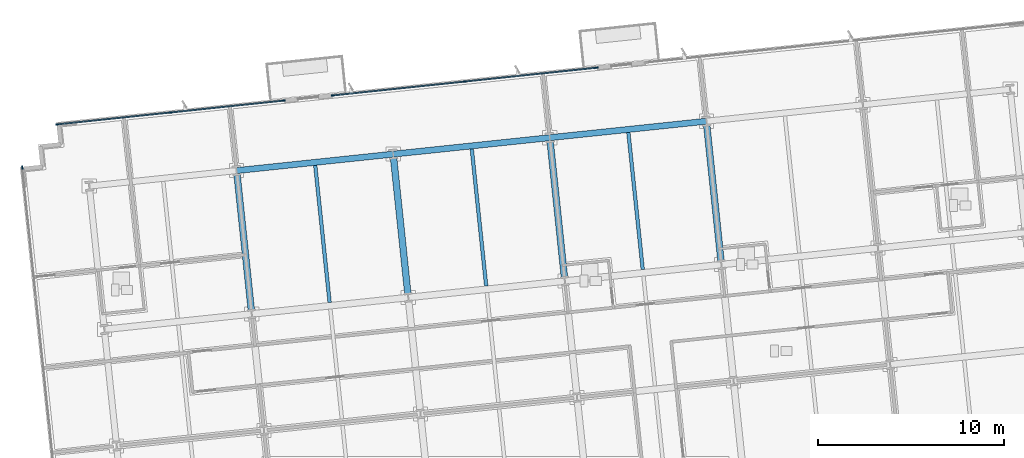
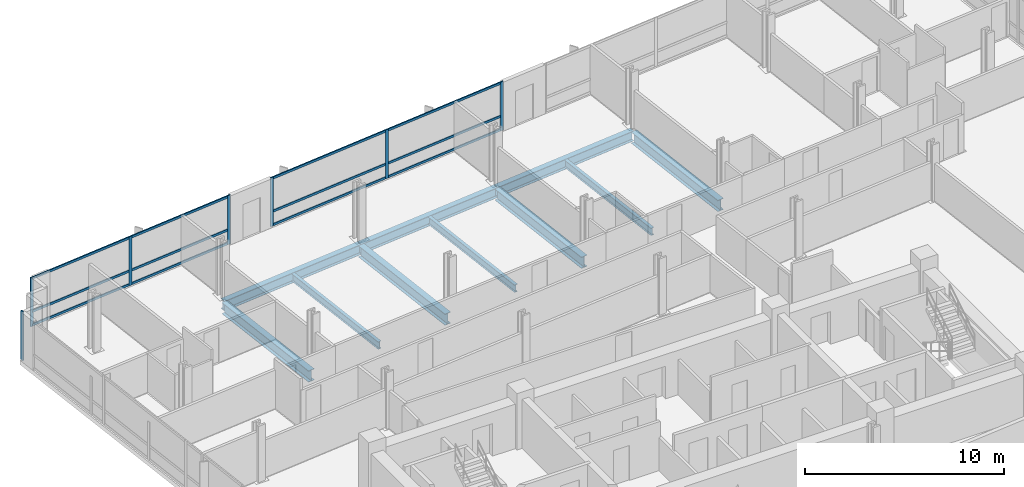
# One storey, part 7 of 18: 19 members, 10 beams, 3 elements without a shape of their own.
"""IFC4 building model written with IfcOpenShell, lengths in metres."""

from ifc_helpers import new_model, si_unit, direction, frame, origin, origin_2d, place, context, subcontext, project, spatial, rectangle, i_section, extrude, material, material_profile, profile_set, type_object, element, aggregate, save


model = new_model("IFC4")

# Units and contexts
model_context = context("Model", 3, precision=1e-05, world=origin(), true_north=direction((0.0, 1.0)))
body_context = subcontext(model_context, "Body", "Model", "MODEL_VIEW")
ifc_project = project(units=[si_unit("LENGTHUNIT", "METRE"), si_unit("AREAUNIT", "SQUARE_METRE"), si_unit("VOLUMEUNIT", "CUBIC_METRE"), si_unit("PLANEANGLEUNIT", "RADIAN"), si_unit("MASSUNIT", "GRAM", prefix="KILO")], contexts=[model_context])

# Site, building, storey
site_placement = place(None, origin())
site = spatial("IfcSite", under=ifc_project, at=site_placement, CompositionType="ELEMENT")
building_placement = place(site_placement, origin())
building = spatial("IfcBuilding", under=site, at=building_placement, Name="Solmavex Isthmus Hotel", CompositionType="ELEMENT")
storey_placement = place(building_placement, frame((0.0, 0.0, 127.050048828125)))
storey = spatial("IfcBuildingStorey", under=building, at=storey_placement, Name="L34", CompositionType="ELEMENT", Elevation=127.050048828125)

# Beams
ifc_material_1 = material(Name="Steel ASTM A992 Grade 50", Category="steel")
ifc_material_profile_1 = material_profile(ifc_material_1, i_section(OverallWidth=0.354736328125, OverallDepth=0.695556640625, WebThickness=0.015380859375, FlangeThickness=0.02490234375, FilletRadius=0.017822265625, at=origin_2d()), Name="W27X146")
ifc_profile_set_1 = profile_set([ifc_material_profile_1], Name="Steel ASTM A992 Grade 50")
beam_type_1 = type_object("IfcBeamType", Name="BM-BG-W27X146", PredefinedType="BEAM", material=ifc_profile_set_1)
for number, where, z_axis, x_axis, name in (
    (1, (-13.135498046875, 8.55859375, -0.60791015625), (-0.1045578893, 0.994518802128, 0.0), (-0.994518802128, -0.1045578893, 0.0), "Floor Beam L34-VG31"),
    (2, (-4.716064453125, 9.443603515625, -0.60791015625), (-0.104525307271, 0.994522227072, 0.0), (-0.994522227072, -0.104525307271, 0.0), "Floor Beam L34-VG35"),
):
    element("IfcBeam", number, at=place(storey_placement, frame(where, z_axis=z_axis, x_axis=x_axis)), inside=storey, type_object=beam_type_1, Name=name, PredefinedType="BEAM", context=body_context, shape_type="SweptSolid", body=[
        extrude(i_section(OverallWidth=0.354736328125, OverallDepth=0.695556640625, WebThickness=0.015380859375, FlangeThickness=0.02490234375, FilletRadius=0.017822265625, at=origin_2d()), origin(), (0.0, 0.0, 1.0), 7.4111328125),
    ])
beam_1_placement = place(storey_placement, frame((3.70361328125, 10.328369140625, -0.60791015625), z_axis=(-0.10452188296, 0.994522586964, 0.0), x_axis=(-0.994522586964, -0.10452188296, 0.0)))
element("IfcBeam", 3, at=beam_1_placement, inside=storey, type_object=beam_type_1, Name="Floor Beam L34-VG39", PredefinedType="BEAM", context=body_context, shape_type="SweptSolid", body=[
    extrude(i_section(OverallWidth=0.354736328125, OverallDepth=0.695556640625, WebThickness=0.015380859375, FlangeThickness=0.02490234375, FilletRadius=0.017822265625, at=origin_2d()), origin(), (0.0, 0.0, 1.0), 7.411376953125),
])
beam_2_placement = place(storey_placement, frame((12.123291015625, 11.21337890625, -0.60791015625), z_axis=(-0.104525307271, 0.994522227072, 0.0), x_axis=(-0.994522227072, -0.104525307271, 0.0)))
element("IfcBeam", 4, at=beam_2_placement, inside=storey, type_object=beam_type_1, Name="Floor Beam L34-VG42", PredefinedType="BEAM", context=body_context, shape_type="SweptSolid", body=[
    extrude(i_section(OverallWidth=0.354736328125, OverallDepth=0.695556640625, WebThickness=0.015380859375, FlangeThickness=0.02490234375, FilletRadius=0.017822265625, at=origin_2d()), origin(), (0.0, 0.0, 1.0), 7.4111328125),
])
ifc_material_profile_2 = material_profile(ifc_material_1, i_section(OverallWidth=0.1904296875, OverallDepth=0.456787109375, WebThickness=0.009033203125, FlangeThickness=0.014404296875, FilletRadius=0.0126953125, at=origin_2d()), Name="W18X50")
ifc_profile_set_2 = profile_set([ifc_material_profile_2], Name="Steel ASTM A992 Grade 50")
beam_type_2 = type_object("IfcBeamType", Name="BM-BJ-W18X50", PredefinedType="JOIST", material=ifc_profile_set_2)
beam_3_placement = place(storey_placement, frame((-8.92578125, 9.0009765625, -0.488525390625), z_axis=(-0.10452188296, 0.994522586964, 0.0), x_axis=(-0.994522586964, -0.10452188296, 0.0)))
element("IfcBeam", 5, at=beam_3_placement, inside=storey, type_object=beam_type_2, Name="Secondary Floor Joist L34-J08", PredefinedType="JOIST", context=body_context, shape_type="SweptSolid", body=[
    extrude(i_section(OverallWidth=0.1904296875, OverallDepth=0.456787109375, WebThickness=0.009033203125, FlangeThickness=0.014404296875, FilletRadius=0.0126953125, at=origin_2d()), origin(), (0.0, 0.0, 1.0), 7.411376953125),
])
for number, where, z_axis, x_axis, name in (
    (6, (-0.506103515625, 9.885986328125, -0.488525390625), (-0.104525307271, 0.994522227072, 0.0), (-0.994522227072, -0.104525307271, 0.0), "Secondary Floor Joist L34-J12"),
    (7, (7.913330078125, 10.77099609375, -0.488525390625), (-0.104525307271, 0.994522227072, 0.0), (-0.994522227072, -0.104525307271, 0.0), "Secondary Floor Joist L34-J15"),
):
    element("IfcBeam", number, at=place(storey_placement, frame(where, z_axis=z_axis, x_axis=x_axis)), inside=storey, type_object=beam_type_2, Name=name, PredefinedType="JOIST", context=body_context, shape_type="SweptSolid", body=[
        extrude(i_section(OverallWidth=0.1904296875, OverallDepth=0.456787109375, WebThickness=0.009033203125, FlangeThickness=0.014404296875, FilletRadius=0.0126953125, at=origin_2d()), origin(), (0.0, 0.0, 1.0), 7.4111328125),
    ])
ifc_material_profile_3 = material_profile(ifc_material_1, i_section(OverallWidth=0.326416015625, OverallDepth=0.621826171875, WebThickness=0.015380859375, FlangeThickness=0.0244140625, FilletRadius=0.01513671875, at=origin_2d()), Name="W24X131")
ifc_profile_set_3 = profile_set([ifc_material_profile_3], Name="Steel ASTM A992 Grade 50")
beam_type_3 = type_object("IfcBeamType", Name="BM-SP-W24X131", PredefinedType="SPANDREL", material=ifc_profile_set_3)
for number, where, z_axis, x_axis, name in (
    (8, (-13.927490234375, 16.091552734375, -0.571044921875), (0.994521085209, 0.104536171134, 0.0), (-0.104536171134, 0.994521085209, 0.0), "Floor Girder L34-UG20"),
    (9, (-5.5078125, 16.9765625, -0.571044921875), (0.994521085209, 0.104536171134, 0.0), (-0.104536171134, 0.994521085209, 0.0), "Floor Girder L34-UG21"),
    (10, (2.911865234375, 17.861572265625, -0.571044921875), (0.994521085209, 0.104536171134, 0.0), (-0.104536171134, 0.994521085209, 0.0), "Floor Girder L34-UG22"),
):
    element("IfcBeam", number, at=place(storey_placement, frame(where, z_axis=z_axis, x_axis=x_axis)), inside=storey, type_object=beam_type_3, Name=name, PredefinedType="SPANDREL", context=body_context, shape_type="SweptSolid", body=[
        extrude(i_section(OverallWidth=0.326416015625, OverallDepth=0.621826171875, WebThickness=0.015380859375, FlangeThickness=0.0244140625, FilletRadius=0.01513671875, at=origin_2d()), origin(), (0.0, 0.0, 1.0), 8.466064453125),
    ])

# Curtain wall, members
ifc_material_2 = material(Name="Aluminium alloy 6063-T6", Category="aluminium")
curtain_wall_type = type_object("IfcCurtainWallType", Name="CW-SYS-03", PredefinedType="NOTDEFINED", material=ifc_material_2)
curtain_wall_1_placement = place(storey_placement, origin())
curtain_wall_1 = element("IfcCurtainWall", 11, at=curtain_wall_1_placement, inside=storey, type_object=curtain_wall_type, Name="Stick Curtain Wall CWL-L34-N1", PredefinedType="NOTDEFINED")
ifc_material_profile_4 = material_profile(ifc_material_2, rectangle(XDim=0.070068359375, YDim=0.179931640625, at=origin_2d()), Name="CWM-70X180")
ifc_profile_set_4 = profile_set([ifc_material_profile_4], Name="Aluminium alloy 6063-T6")
member_type_1 = type_object("IfcMemberType", Name="CW-SYS-03-MUL", PredefinedType="MULLION", material=ifc_profile_set_4)
member_1_placement = place(storey_placement, frame((-23.572998046875, 18.5771484375, 0.0), z_axis=(0.0, 0.0, 1.0), x_axis=(-0.104528123665, 0.994521931062, 0.0)))
member_1 = element("IfcMember", 12, at=member_1_placement, type_object=member_type_1, Name="CW-03 mullion 1", PredefinedType="MULLION", context=body_context, shape_type="SweptSolid", body=[
    extrude(rectangle(XDim=0.070068359375, YDim=0.179931640625, at=origin_2d()), origin(), (0.0, 0.0, 1.0), 3.0),
])
member_2_placement = place(storey_placement, frame((-17.490966796875, 19.21630859375, 0.0), z_axis=(0.0, 0.0, 1.0), x_axis=(-0.104528123665, 0.994521931062, 0.0)))
member_2 = element("IfcMember", 13, at=member_2_placement, type_object=member_type_1, Name="CW-03 mullion 2", PredefinedType="MULLION", context=body_context, shape_type="SweptSolid", body=[
    extrude(rectangle(XDim=0.070068359375, YDim=0.179931640625, at=origin_2d()), origin(), (0.0, 0.0, 1.0), 3.0),
])
member_3_placement = place(storey_placement, frame((-11.408935546875, 19.85546875, 0.0), z_axis=(0.0, 0.0, 1.0), x_axis=(-0.104528123665, 0.994521931062, 0.0)))
member_3 = element("IfcMember", 14, at=member_3_placement, type_object=member_type_1, Name="CW-03 mullion 3", PredefinedType="MULLION", context=body_context, shape_type="SweptSolid", body=[
    extrude(rectangle(XDim=0.070068359375, YDim=0.179931640625, at=origin_2d()), origin(), (0.0, 0.0, 1.0), 3.0),
])

curtain_wall_2_placement = place(storey_placement, origin())
curtain_wall_2 = element("IfcCurtainWall", 15, at=curtain_wall_2_placement, inside=storey, type_object=curtain_wall_type, Name="Stick Curtain Wall CWL-L34-N2", PredefinedType="NOTDEFINED")
member_4_placement = place(storey_placement, frame((-8.753662109375, 20.134521484375, 0.0), z_axis=(0.0, 0.0, 1.0), x_axis=(-0.104528313766, 0.994521911082, 0.0)))
member_4 = element("IfcMember", 16, at=member_4_placement, type_object=member_type_1, Name="CW-03 mullion 1", PredefinedType="MULLION", context=body_context, shape_type="SweptSolid", body=[
    extrude(rectangle(XDim=0.070068359375, YDim=0.179931640625, at=origin_2d()), origin(), (0.0, 0.0, 1.0), 3.0),
])
member_5_placement = place(storey_placement, frame((-1.66162109375, 20.8798828125, 0.0), z_axis=(0.0, 0.0, 1.0), x_axis=(-0.104528313766, 0.994521911082, 0.0)))
member_5 = element("IfcMember", 17, at=member_5_placement, type_object=member_type_1, Name="CW-03 mullion 2", PredefinedType="MULLION", context=body_context, shape_type="SweptSolid", body=[
    extrude(rectangle(XDim=0.070068359375, YDim=0.179931640625, at=origin_2d()), origin(), (0.0, 0.0, 1.0), 3.0),
])
member_6_placement = place(storey_placement, frame((5.43017578125, 21.62548828125, 0.0), z_axis=(0.0, 0.0, 1.0), x_axis=(-0.104528313766, 0.994521911082, 0.0)))
member_6 = element("IfcMember", 18, at=member_6_placement, type_object=member_type_1, Name="CW-03 mullion 3", PredefinedType="MULLION", context=body_context, shape_type="SweptSolid", body=[
    extrude(rectangle(XDim=0.070068359375, YDim=0.179931640625, at=origin_2d()), origin(), (0.0, 0.0, 1.0), 3.0),
])

# Curtain wall, member
curtain_wall_3_placement = place(storey_placement, origin())
curtain_wall_3 = element("IfcCurtainWall", 19, at=curtain_wall_3_placement, inside=storey, type_object=curtain_wall_type, Name="Stick Curtain Wall CWL-L34-W1", PredefinedType="NOTDEFINED")
member_7_placement = place(storey_placement, frame((-25.455322265625, 16.25244140625, 0.0), z_axis=(0.0, 0.0, 1.0), x_axis=(-0.994521893044, -0.104528485381, 0.0)))
member_7 = element("IfcMember", 20, at=member_7_placement, type_object=member_type_1, Name="CW-03 mullion 6", PredefinedType="MULLION", context=body_context, shape_type="SweptSolid", body=[
    extrude(rectangle(XDim=0.070068359375, YDim=0.179931640625, at=origin_2d()), origin(), (0.0, 0.0, 1.0), 3.0),
])
aggregate(curtain_wall_3, [member_7])

# Member
ifc_material_profile_5 = material_profile(ifc_material_2, rectangle(XDim=0.070068359375, YDim=0.139892578125, at=origin_2d()), Name="CWT-70X140")
ifc_profile_set_5 = profile_set([ifc_material_profile_5], Name="Aluminium alloy 6063-T6")
member_type_2 = type_object("IfcMemberType", Name="CW-SYS-03-TRN", PredefinedType="USERDEFINED", material=ifc_profile_set_5)
member_8_placement = place(storey_placement, frame((-23.5380859375, 18.58056640625, 0.070068359375), z_axis=(0.994518943174, 0.104556547709, 0.0), x_axis=(-0.104556547709, 0.994518943174, 0.0)))
member_8 = element("IfcMember", 21, at=member_8_placement, type_object=member_type_2, Name="CW-03 transom 1.1", ObjectType="TRANSOM", PredefinedType="USERDEFINED", context=body_context, shape_type="SweptSolid", body=[
    extrude(rectangle(XDim=0.070068359375, YDim=0.139892578125, at=origin_2d()), origin(), (0.0, 0.0, 1.0), 6.04541015625),
])

member_9_placement = place(storey_placement, frame((-23.5380859375, 18.58056640625, 0.89990234375), z_axis=(0.994518943174, 0.104556547709, 0.0), x_axis=(-0.104556547709, 0.994518943174, 0.0)))
member_9 = element("IfcMember", 22, at=member_9_placement, type_object=member_type_2, Name="CW-03 transom 1.2", ObjectType="TRANSOM", PredefinedType="USERDEFINED", context=body_context, shape_type="SweptSolid", body=[
    extrude(rectangle(XDim=0.070068359375, YDim=0.139892578125, at=origin_2d()), origin(), (0.0, 0.0, 1.0), 6.04541015625),
])

member_10_placement = place(storey_placement, frame((-23.5380859375, 18.58056640625, 2.929931640625), z_axis=(0.994518943174, 0.104556547709, 0.0), x_axis=(-0.104556547709, 0.994518943174, 0.0)))
member_10 = element("IfcMember", 23, at=member_10_placement, type_object=member_type_2, Name="CW-03 transom 1.3", ObjectType="TRANSOM", PredefinedType="USERDEFINED", context=body_context, shape_type="SweptSolid", body=[
    extrude(rectangle(XDim=0.070068359375, YDim=0.139892578125, at=origin_2d()), origin(), (0.0, 0.0, 1.0), 6.04541015625),
])

member_11_placement = place(storey_placement, frame((-17.456298828125, 19.219970703125, 0.070068359375), z_axis=(0.994523582882, 0.104512406403, 0.0), x_axis=(-0.104512406403, 0.994523582882, 0.0)))
member_11 = element("IfcMember", 24, at=member_11_placement, type_object=member_type_2, Name="CW-03 transom 2.1", ObjectType="TRANSOM", PredefinedType="USERDEFINED", context=body_context, shape_type="SweptSolid", body=[
    extrude(rectangle(XDim=0.070068359375, YDim=0.139892578125, at=origin_2d()), origin(), (0.0, 0.0, 1.0), 6.045654296875),
])

member_12_placement = place(storey_placement, frame((-17.456298828125, 19.219970703125, 0.89990234375), z_axis=(0.994523582882, 0.104512406403, 0.0), x_axis=(-0.104512406403, 0.994523582882, 0.0)))
member_12 = element("IfcMember", 25, at=member_12_placement, type_object=member_type_2, Name="CW-03 transom 2.2", ObjectType="TRANSOM", PredefinedType="USERDEFINED", context=body_context, shape_type="SweptSolid", body=[
    extrude(rectangle(XDim=0.070068359375, YDim=0.139892578125, at=origin_2d()), origin(), (0.0, 0.0, 1.0), 6.045654296875),
])

member_13_placement = place(storey_placement, frame((-17.456298828125, 19.219970703125, 2.929931640625), z_axis=(0.994523582882, 0.104512406403, 0.0), x_axis=(-0.104512406403, 0.994523582882, 0.0)))
member_13 = element("IfcMember", 26, at=member_13_placement, type_object=member_type_2, Name="CW-03 transom 2.3", ObjectType="TRANSOM", PredefinedType="USERDEFINED", context=body_context, shape_type="SweptSolid", body=[
    extrude(rectangle(XDim=0.070068359375, YDim=0.139892578125, at=origin_2d()), origin(), (0.0, 0.0, 1.0), 6.045654296875),
])

aggregate(curtain_wall_1, [member_1, member_2, member_3, member_8, member_9, member_10, member_11, member_12, member_13])

member_14_placement = place(storey_placement, frame((-8.71875, 20.13818359375, 0.070068359375), z_axis=(0.994522301958, 0.104524594751, 0.0), x_axis=(-0.104524594751, 0.994522301958, 0.0)))
member_14 = element("IfcMember", 27, at=member_14_placement, type_object=member_type_2, Name="CW-03 transom 1.1", ObjectType="TRANSOM", PredefinedType="USERDEFINED", context=body_context, shape_type="SweptSolid", body=[
    extrude(rectangle(XDim=0.070068359375, YDim=0.139892578125, at=origin_2d()), origin(), (0.0, 0.0, 1.0), 7.060791015625),
])

member_15_placement = place(storey_placement, frame((-8.71875, 20.13818359375, 0.89990234375), z_axis=(0.994522301958, 0.104524594751, 0.0), x_axis=(-0.104524594751, 0.994522301958, 0.0)))
member_15 = element("IfcMember", 28, at=member_15_placement, type_object=member_type_2, Name="CW-03 transom 1.2", ObjectType="TRANSOM", PredefinedType="USERDEFINED", context=body_context, shape_type="SweptSolid", body=[
    extrude(rectangle(XDim=0.070068359375, YDim=0.139892578125, at=origin_2d()), origin(), (0.0, 0.0, 1.0), 7.060791015625),
])

member_16_placement = place(storey_placement, frame((-8.71875, 20.13818359375, 2.929931640625), z_axis=(0.994522301958, 0.104524594751, 0.0), x_axis=(-0.104524594751, 0.994522301958, 0.0)))
member_16 = element("IfcMember", 29, at=member_16_placement, type_object=member_type_2, Name="CW-03 transom 1.3", ObjectType="TRANSOM", PredefinedType="USERDEFINED", context=body_context, shape_type="SweptSolid", body=[
    extrude(rectangle(XDim=0.070068359375, YDim=0.139892578125, at=origin_2d()), origin(), (0.0, 0.0, 1.0), 7.060791015625),
])

member_17_placement = place(storey_placement, frame((-1.626953125, 20.883544921875, 0.070068359375), z_axis=(0.994519085079, 0.104555197931, 0.0), x_axis=(-0.104555197931, 0.994519085079, 0.0)))
member_17 = element("IfcMember", 30, at=member_17_placement, type_object=member_type_2, Name="CW-03 transom 2.1", ObjectType="TRANSOM", PredefinedType="USERDEFINED", context=body_context, shape_type="SweptSolid", body=[
    extrude(rectangle(XDim=0.070068359375, YDim=0.139892578125, at=origin_2d()), origin(), (0.0, 0.0, 1.0), 7.061279296875),
])

member_18_placement = place(storey_placement, frame((-1.626953125, 20.883544921875, 0.89990234375), z_axis=(0.994519085079, 0.104555197931, 0.0), x_axis=(-0.104555197931, 0.994519085079, 0.0)))
member_18 = element("IfcMember", 31, at=member_18_placement, type_object=member_type_2, Name="CW-03 transom 2.2", ObjectType="TRANSOM", PredefinedType="USERDEFINED", context=body_context, shape_type="SweptSolid", body=[
    extrude(rectangle(XDim=0.070068359375, YDim=0.139892578125, at=origin_2d()), origin(), (0.0, 0.0, 1.0), 7.061279296875),
])

member_19_placement = place(storey_placement, frame((-1.626953125, 20.883544921875, 2.929931640625), z_axis=(0.994519085079, 0.104555197931, 0.0), x_axis=(-0.104555197931, 0.994519085079, 0.0)))
member_19 = element("IfcMember", 32, at=member_19_placement, type_object=member_type_2, Name="CW-03 transom 2.3", ObjectType="TRANSOM", PredefinedType="USERDEFINED", context=body_context, shape_type="SweptSolid", body=[
    extrude(rectangle(XDim=0.070068359375, YDim=0.139892578125, at=origin_2d()), origin(), (0.0, 0.0, 1.0), 7.061279296875),
])

aggregate(curtain_wall_2, [member_4, member_5, member_6, member_14, member_15, member_16, member_17, member_18, member_19])

save(model, "model.ifc")
